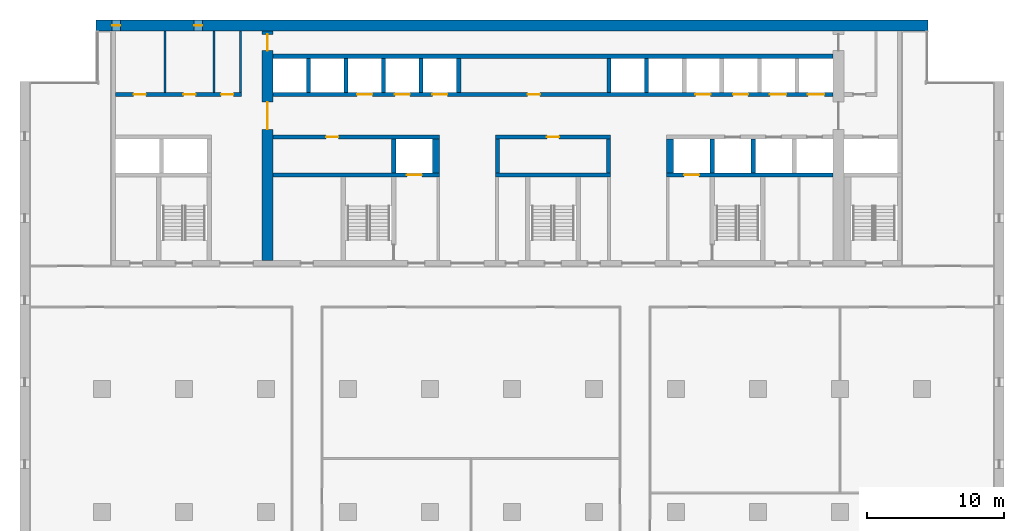
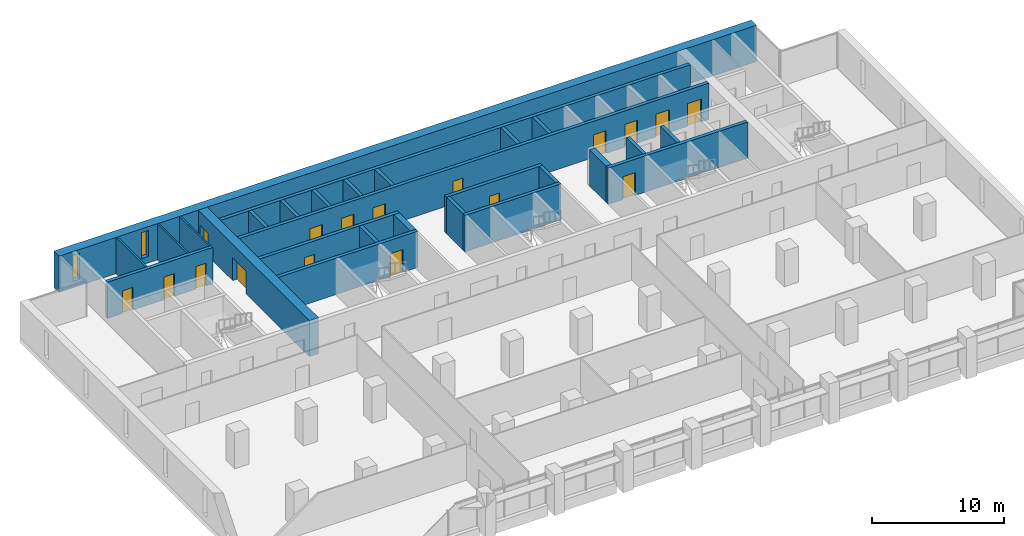
# One storey, part 10 of 15: 27 walls, 17 doors, 2 windows, 19 openings.
"""IFC4 building model written with IfcOpenShell, lengths in metres."""

from ifc_helpers import new_model, si_unit, direction, frame, frame_2d, origin, place, context, subcontext, project, spatial, rectangle, extrude, material, layer, layer_set, type_object, element, fill, save


model = new_model("IFC4")

# Units and contexts
model_context = context("Model", 3, precision=1e-05, world=origin(), true_north=direction((0.0, 1.0)))
body_context = subcontext(model_context, "Body", "Model", "MODEL_VIEW")
ifc_project = project(units=[si_unit("LENGTHUNIT", "METRE"), si_unit("AREAUNIT", "SQUARE_METRE"), si_unit("VOLUMEUNIT", "CUBIC_METRE"), si_unit("PLANEANGLEUNIT", "RADIAN"), si_unit("MASSUNIT", "GRAM", prefix="KILO")], contexts=[model_context])

# Site, building, storey
site_placement = place(None, origin())
site = spatial("IfcSite", under=ifc_project, at=site_placement, CompositionType="ELEMENT")
building_placement = place(site_placement, origin())
building = spatial("IfcBuilding", under=site, at=building_placement, Name="Calvaro Tower", CompositionType="ELEMENT")
storey_placement = place(building_placement, frame((0.0, 0.0, 143.75)))
storey = spatial("IfcBuildingStorey", under=building, at=storey_placement, Name="L36", CompositionType="ELEMENT", Elevation=143.75)

# Walls
ifc_material_1 = material(Name="Blockwork partition", Category="masonry")
ifc_layer_1 = layer(ifc_material_1, 0.14990234375)
ifc_layer_set_1 = layer_set([ifc_layer_1], Name="Blockwork partition")
wall_type_1 = type_object("IfcWallType", Name="Core partition 150 EI 60", PredefinedType="PARTITIONING", material=ifc_layer_set_1)
for number, where, z_axis, x_axis, name in (
    (1, (10.60009765625, 40.699951171875, 0.0), (0.0, 0.0, 1.0), (0.0, 1.0, 0.0), "Core partition"),
    (2, (14.199951171875, 40.699951171875, 0.0), (0.0, 0.0, 1.0), (0.0, 1.0, 0.0), "Core partition"),
):
    element("IfcWall", number, at=place(storey_placement, frame(where, z_axis=z_axis, x_axis=x_axis)), inside=storey, type_object=wall_type_1, Name=name, PredefinedType="PARTITIONING", context=body_context, shape_type="SweptSolid", body=[
        extrude(rectangle(XDim=4.5, YDim=0.14990234375, at=frame_2d((2.25, 0.0))), origin(), (0.0, 0.0, 1.0), 3.35009765625),
    ])
ifc_material_2 = material(Name="Blockwork partition", Category="masonry")
ifc_layer_2 = layer(ifc_material_2, 0.14990234375)
ifc_layer_set_2 = layer_set([ifc_layer_2], Name="Blockwork partition")
wall_type_2 = type_object("IfcWallType", Name="Core partition 150 REI 120", PredefinedType="PARTITIONING", material=ifc_layer_set_2)
wall_1_placement = place(storey_placement, frame((16.125, 40.699951171875, 0.0), z_axis=(0.0, 0.0, 1.0), x_axis=(0.0, 1.0, 0.0)))
element("IfcWall", 3, at=wall_1_placement, inside=storey, type_object=wall_type_2, Name="Core partition", PredefinedType="PARTITIONING", context=body_context, shape_type="SweptSolid", body=[
    extrude(rectangle(XDim=4.5, YDim=0.14990234375, at=frame_2d((2.25, 0.0))), origin(), (0.0, 0.0, 1.0), 3.35009765625),
])

# Wall, openings, doors
ifc_material_3 = material(Name="Blockwork partition", Category="masonry")
ifc_layer_3 = layer(ifc_material_3, 0.300048828125)
ifc_layer_set_3 = layer_set([ifc_layer_3], Name="Blockwork partition")
wall_type_3 = type_object("IfcWallType", Name="Core partition 300 REI 120", PredefinedType="PARTITIONING", material=ifc_layer_set_3)
wall_2_placement = place(storey_placement, frame((7.0, 40.550048828125, 0.0), z_axis=(0.0, 0.0, 1.0), x_axis=(1.0, 0.0, 0.0)))
wall_2 = element("IfcWall", 4, at=wall_2_placement, inside=storey, type_object=wall_type_3, Name="Core partition", PredefinedType="PARTITIONING", context=body_context, shape_type="SweptSolid", body=[
    extrude(rectangle(XDim=9.199951171875, YDim=0.300048828125, at=frame_2d((4.60009765625, 0.0))), origin(), (0.0, 0.0, 1.0), 3.35009765625),
])
opening_1_placement = place(wall_2_placement, frame((1.3125, 0.0, 0.0)))
opening_1 = element("IfcOpeningElement", 5, at=opening_1_placement, cuts=wall_2, Name="Opening RD9", PredefinedType="OPENING", context=body_context, shape_type="SweptSolid", body=[
    extrude(rectangle(XDim=0.89990234375, YDim=2.10009765625, at=frame_2d((0.449951171875, 1.050048828125))), frame((0.0, 0.159912109375, 0.0), z_axis=(0.0, -1.0, 0.0), x_axis=(1.0, 0.0, 0.0)), (0.0, 0.0, 1.0), 0.320068359375),
])
opening_2_placement = place(wall_2_placement, frame((4.949951171875, 0.0, 0.0)))
opening_2 = element("IfcOpeningElement", 6, at=opening_2_placement, cuts=wall_2, Name="Opening RD9", PredefinedType="OPENING", context=body_context, shape_type="SweptSolid", body=[
    extrude(rectangle(XDim=0.89990234375, YDim=2.10009765625, at=frame_2d((0.449951171875, 1.050048828125))), frame((0.0, 0.159912109375, 0.0), z_axis=(0.0, -1.0, 0.0), x_axis=(1.0, 0.0, 0.0)), (0.0, 0.0, 1.0), 0.320068359375),
])
opening_3_placement = place(wall_2_placement, frame((7.71240234375, 0.0, 0.0)))
opening_3 = element("IfcOpeningElement", 7, at=opening_3_placement, cuts=wall_2, Name="Opening RD9", PredefinedType="OPENING", context=body_context, shape_type="SweptSolid", body=[
    extrude(rectangle(XDim=0.89990234375, YDim=2.10009765625, at=frame_2d((0.449951171875, 1.050048828125))), frame((0.0, 0.159912109375, 0.0), z_axis=(0.0, -1.0, 0.0), x_axis=(1.0, 0.0, 0.0)), (0.0, 0.0, 1.0), 0.320068359375),
])
ifc_material_4 = material(Name="Steel door set", Category="steel")
door_type_1 = type_object("IfcDoorType", Name="Room door 900", OperationType="SINGLE_SWING_LEFT", PredefinedType="DOOR", material=ifc_material_4)
door_1_placement = place(opening_1_placement, origin())
door_1 = element("IfcDoor", 8, at=door_1_placement, inside=storey, type_object=door_type_1, Name="Room door", OperationType="SINGLE_SWING_LEFT", OverallHeight=2.10009765625, OverallWidth=0.89990234375, PredefinedType="DOOR", context=body_context, shape_type="SweptSolid", body=[
    extrude(rectangle(XDim=0.89990234375, YDim=2.10009765625, at=frame_2d((0.449951171875, 1.050048828125))), frame((0.0, 0.02490234375, 0.0), z_axis=(0.0, -1.0, 0.0), x_axis=(1.0, 0.0, 0.0)), (0.0, 0.0, 1.0), 0.050048828125),
])
fill(opening_1, door_1)
door_2_placement = place(opening_2_placement, origin())
door_2 = element("IfcDoor", 9, at=door_2_placement, inside=storey, type_object=door_type_1, Name="Room door", OperationType="SINGLE_SWING_LEFT", OverallHeight=2.10009765625, OverallWidth=0.89990234375, PredefinedType="DOOR", context=body_context, shape_type="SweptSolid", body=[
    extrude(rectangle(XDim=0.89990234375, YDim=2.10009765625, at=frame_2d((0.449951171875, 1.050048828125))), frame((0.0, 0.02490234375, 0.0), z_axis=(0.0, -1.0, 0.0), x_axis=(1.0, 0.0, 0.0)), (0.0, 0.0, 1.0), 0.050048828125),
])
fill(opening_2, door_2)
door_3_placement = place(opening_3_placement, origin())
door_3 = element("IfcDoor", 10, at=door_3_placement, inside=storey, type_object=door_type_1, Name="Room door", OperationType="SINGLE_SWING_LEFT", OverallHeight=2.10009765625, OverallWidth=0.89990234375, PredefinedType="DOOR", context=body_context, shape_type="SweptSolid", body=[
    extrude(rectangle(XDim=0.89990234375, YDim=2.10009765625, at=frame_2d((0.449951171875, 1.050048828125))), frame((0.0, 0.02490234375, 0.0), z_axis=(0.0, -1.0, 0.0), x_axis=(1.0, 0.0, 0.0)), (0.0, 0.0, 1.0), 0.050048828125),
])
fill(opening_3, door_3)

# Wall, opening, door
ifc_material_5 = material(Name="Concrete C60/75", Category="concrete")
ifc_layer_4 = layer(ifc_material_5, 0.300048828125)
ifc_layer_set_4 = layer_set([ifc_layer_4], Name="Concrete C60/75")
wall_type_4 = type_object("IfcWallType", Name="Core wall C60/75 300", PredefinedType="SHEAR", material=ifc_layer_set_4)
wall_3_placement = place(storey_placement, frame((18.5, 34.64990234375, 0.0), z_axis=(0.0, 0.0, 1.0), x_axis=(1.0, 0.0, 0.0)))
wall_3 = element("IfcWall", 11, at=wall_3_placement, inside=storey, type_object=wall_type_4, Name="Core wall, lift shaft", PredefinedType="SHEAR", context=body_context, shape_type="SweptSolid", body=[
    extrude(rectangle(XDim=12.199951171875, YDim=0.300048828125, at=frame_2d((6.10009765625, 0.0))), origin(), (0.0, 0.0, 1.0), 3.35009765625),
])
opening_4_placement = place(wall_3_placement, frame((9.800048828125, 0.0, 0.0)))
opening_4 = element("IfcOpeningElement", 12, at=opening_4_placement, cuts=wall_3, Name="Opening FF1", PredefinedType="OPENING", context=body_context, shape_type="SweptSolid", body=[
    extrude(rectangle(XDim=1.10009765625, YDim=2.10009765625, at=frame_2d((0.550048828125, 1.050048828125))), frame((0.0, 0.159912109375, 0.0), z_axis=(0.0, -1.0, 0.0), x_axis=(1.0, 0.0, 0.0)), (0.0, 0.0, 1.0), 0.320068359375),
])
ifc_material_6 = material(Name="Stainless steel", Category="steel")
door_type_2 = type_object("IfcDoorType", Name="Landing door 1100 E 60", OperationType="SLIDING_TO_LEFT", PredefinedType="DOOR", material=ifc_material_6)
door_4_placement = place(opening_4_placement, origin())
door_4 = element("IfcDoor", 13, at=door_4_placement, inside=storey, type_object=door_type_2, Name="Landing door FF1", OperationType="SLIDING_TO_LEFT", OverallHeight=2.10009765625, OverallWidth=1.10009765625, PredefinedType="DOOR", context=body_context, shape_type="SweptSolid", body=[
    extrude(rectangle(XDim=1.10009765625, YDim=2.10009765625, at=frame_2d((0.550048828125, 1.050048828125))), frame((0.0, 0.02490234375, 0.0), z_axis=(0.0, -1.0, 0.0), x_axis=(1.0, 0.0, 0.0)), (0.0, 0.0, 1.0), 0.050048828125),
])
fill(opening_4, door_4)

# Wall
wall_4_placement = place(storey_placement, frame((34.800048828125, 34.64990234375, 0.0), z_axis=(0.0, 0.0, 1.0), x_axis=(1.0, 0.0, 0.0)))
element("IfcWall", 14, at=wall_4_placement, inside=storey, type_object=wall_type_4, Name="Core wall, lift shaft", PredefinedType="SHEAR", context=body_context, shape_type="SweptSolid", body=[
    extrude(rectangle(XDim=8.39990234375, YDim=0.300048828125, at=frame_2d((4.199951171875, 0.0))), origin(), (0.0, 0.0, 1.0), 3.35009765625),
])

# Wall, opening, door
wall_5_placement = place(storey_placement, frame((47.300048828125, 34.64990234375, 0.0), z_axis=(0.0, 0.0, 1.0), x_axis=(1.0, 0.0, 0.0)))
wall_5 = element("IfcWall", 15, at=wall_5_placement, inside=storey, type_object=wall_type_4, Name="Core wall, lift shaft", PredefinedType="SHEAR", context=body_context, shape_type="SweptSolid", body=[
    extrude(rectangle(XDim=12.199951171875, YDim=0.300048828125, at=frame_2d((6.10009765625, 0.0))), origin(), (0.0, 0.0, 1.0), 3.35009765625),
])
opening_5_placement = place(wall_5_placement, frame((1.300048828125, 0.0, 0.0)))
opening_5 = element("IfcOpeningElement", 16, at=opening_5_placement, cuts=wall_5, Name="Opening FF2", PredefinedType="OPENING", context=body_context, shape_type="SweptSolid", body=[
    extrude(rectangle(XDim=1.10009765625, YDim=2.10009765625, at=frame_2d((0.550048828125, 1.050048828125))), frame((0.0, 0.159912109375, 0.0), z_axis=(0.0, -1.0, 0.0), x_axis=(1.0, 0.0, 0.0)), (0.0, 0.0, 1.0), 0.320068359375),
])
door_5_placement = place(opening_5_placement, origin())
door_5 = element("IfcDoor", 17, at=door_5_placement, inside=storey, type_object=door_type_2, Name="Landing door FF2", OperationType="SLIDING_TO_LEFT", OverallHeight=2.10009765625, OverallWidth=1.10009765625, PredefinedType="DOOR", context=body_context, shape_type="SweptSolid", body=[
    extrude(rectangle(XDim=1.10009765625, YDim=2.10009765625, at=frame_2d((0.550048828125, 1.050048828125))), frame((0.0, 0.02490234375, 0.0), z_axis=(0.0, -1.0, 0.0), x_axis=(1.0, 0.0, 0.0)), (0.0, 0.0, 1.0), 0.050048828125),
])
fill(opening_5, door_5)

wall_6_placement = place(storey_placement, frame((30.699951171875, 37.449951171875, 0.0), z_axis=(0.0, 0.0, 1.0), x_axis=(-1.0, 0.0, 0.0)))
wall_6 = element("IfcWall", 18, at=wall_6_placement, inside=storey, type_object=wall_type_4, Name="Core wall, bay", PredefinedType="SHEAR", context=body_context, shape_type="SweptSolid", body=[
    extrude(rectangle(XDim=12.199951171875, YDim=0.300048828125, at=frame_2d((6.10009765625, 0.0))), origin(), (0.0, 0.0, 1.0), 3.35009765625),
])
opening_6_placement = place(wall_6_placement, frame((7.39990234375, 0.0, 0.0)))
opening_6 = element("IfcOpeningElement", 19, at=opening_6_placement, cuts=wall_6, Name="Opening RD9E", PredefinedType="OPENING", context=body_context, shape_type="SweptSolid", body=[
    extrude(rectangle(XDim=0.89990234375, YDim=2.10009765625, at=frame_2d((0.449951171875, 1.050048828125))), frame((0.0, 0.159912109375, 0.0), z_axis=(0.0, -1.0, 0.0), x_axis=(1.0, 0.0, 0.0)), (0.0, 0.0, 1.0), 0.320068359375),
])
ifc_material_7 = material(Name="Steel door set", Category="steel")
door_type_3 = type_object("IfcDoorType", Name="Room door 900 FD60", OperationType="SINGLE_SWING_LEFT", PredefinedType="DOOR", material=ifc_material_7)
door_6_placement = place(opening_6_placement, origin())
door_6 = element("IfcDoor", 20, at=door_6_placement, inside=storey, type_object=door_type_3, Name="Room door", OperationType="SINGLE_SWING_LEFT", OverallHeight=2.10009765625, OverallWidth=0.89990234375, PredefinedType="DOOR", context=body_context, shape_type="SweptSolid", body=[
    extrude(rectangle(XDim=0.89990234375, YDim=2.10009765625, at=frame_2d((0.449951171875, 1.050048828125))), frame((0.0, 0.02490234375, 0.0), z_axis=(0.0, -1.0, 0.0), x_axis=(1.0, 0.0, 0.0)), (0.0, 0.0, 1.0), 0.050048828125),
])
fill(opening_6, door_6)

wall_7_placement = place(storey_placement, frame((43.199951171875, 37.449951171875, 0.0), z_axis=(0.0, 0.0, 1.0), x_axis=(-1.0, 0.0, 0.0)))
wall_7 = element("IfcWall", 21, at=wall_7_placement, inside=storey, type_object=wall_type_4, Name="Core wall, bay", PredefinedType="SHEAR", context=body_context, shape_type="SweptSolid", body=[
    extrude(rectangle(XDim=8.39990234375, YDim=0.300048828125, at=frame_2d((4.199951171875, 0.0))), origin(), (0.0, 0.0, 1.0), 3.35009765625),
])
opening_7_placement = place(wall_7_placement, frame((3.75, 0.0, 0.0)))
opening_7 = element("IfcOpeningElement", 22, at=opening_7_placement, cuts=wall_7, Name="Opening RD9E", PredefinedType="OPENING", context=body_context, shape_type="SweptSolid", body=[
    extrude(rectangle(XDim=0.89990234375, YDim=2.10009765625, at=frame_2d((0.449951171875, 1.050048828125))), frame((0.0, 0.159912109375, 0.0), z_axis=(0.0, -1.0, 0.0), x_axis=(1.0, 0.0, 0.0)), (0.0, 0.0, 1.0), 0.320068359375),
])
door_7_placement = place(opening_7_placement, origin())
door_7 = element("IfcDoor", 23, at=door_7_placement, inside=storey, type_object=door_type_3, Name="Room door", OperationType="SINGLE_SWING_RIGHT", OverallHeight=2.10009765625, OverallWidth=0.89990234375, PredefinedType="DOOR", context=body_context, shape_type="SweptSolid", body=[
    extrude(rectangle(XDim=0.89990234375, YDim=2.10009765625, at=frame_2d((0.449951171875, 1.050048828125))), frame((0.0, 0.02490234375, 0.0), z_axis=(0.0, -1.0, 0.0), x_axis=(1.0, 0.0, 0.0)), (0.0, 0.0, 1.0), 0.050048828125),
])
fill(opening_7, door_7)

# Walls
for number, where, z_axis, x_axis, name in (
    (24, (27.35009765625, 34.800048828125, 0.0), (0.0, 0.0, 1.0), (0.0, 1.0, 0.0), "Core wall, lift shaft"),
    (25, (34.949951171875, 34.800048828125, 0.0), (0.0, 0.0, 1.0), (0.0, 1.0, 0.0), "Core wall, lift shaft"),
    (26, (43.050048828125, 34.800048828125, 0.0), (0.0, 0.0, 1.0), (0.0, 1.0, 0.0), "Core wall, lift shaft"),
    (27, (50.64990234375, 34.800048828125, 0.0), (0.0, 0.0, 1.0), (0.0, 1.0, 0.0), "Core wall, lift shaft"),
):
    element("IfcWall", number, at=place(storey_placement, frame(where, z_axis=z_axis, x_axis=x_axis)), inside=storey, type_object=wall_type_4, Name=name, PredefinedType="SHEAR", context=body_context, shape_type="SweptSolid", body=[
        extrude(rectangle(XDim=2.5, YDim=0.300048828125, at=frame_2d((1.25, 0.0))), origin(), (0.0, 0.0, 1.0), 3.35009765625),
    ])

# Wall, openings, doors
wall_8_placement = place(storey_placement, frame((18.5, 40.550048828125, 0.0), z_axis=(0.0, 0.0, 1.0), x_axis=(1.0, 0.0, 0.0)))
wall_8 = element("IfcWall", 28, at=wall_8_placement, inside=storey, type_object=wall_type_4, Name="Core wall, bay", PredefinedType="SHEAR", context=body_context, shape_type="SweptSolid", body=[
    extrude(rectangle(XDim=41.0, YDim=0.300048828125, at=frame_2d((20.5, 0.0))), origin(), (0.0, 0.0, 1.0), 3.35009765625),
])
opening_8_placement = place(wall_8_placement, frame((18.64990234375, 0.0, 0.0)))
opening_8 = element("IfcOpeningElement", 29, at=opening_8_placement, cuts=wall_8, Name="Opening RD9E", PredefinedType="OPENING", context=body_context, shape_type="SweptSolid", body=[
    extrude(rectangle(XDim=0.89990234375, YDim=2.10009765625, at=frame_2d((0.449951171875, 1.050048828125))), frame((0.0, 0.159912109375, 0.0), z_axis=(0.0, -1.0, 0.0), x_axis=(1.0, 0.0, 0.0)), (0.0, 0.0, 1.0), 0.320068359375),
])
opening_9_placement = place(wall_8_placement, frame((6.175048828125, 0.0, 0.0)))
opening_9 = element("IfcOpeningElement", 30, at=opening_9_placement, cuts=wall_8, Name="Opening MR4", PredefinedType="OPENING", context=body_context, shape_type="SweptSolid", body=[
    extrude(rectangle(XDim=1.10009765625, YDim=2.10009765625, at=frame_2d((0.550048828125, 1.050048828125))), frame((0.0, 0.159912109375, 0.0), z_axis=(0.0, -1.0, 0.0), x_axis=(1.0, 0.0, 0.0)), (0.0, 0.0, 1.0), 0.320068359375),
])
opening_10_placement = place(wall_8_placement, frame((8.925048828125, 0.0, 0.0)))
opening_10 = element("IfcOpeningElement", 31, at=opening_10_placement, cuts=wall_8, Name="Opening MR5", PredefinedType="OPENING", context=body_context, shape_type="SweptSolid", body=[
    extrude(rectangle(XDim=1.10009765625, YDim=2.10009765625, at=frame_2d((0.550048828125, 1.050048828125))), frame((0.0, 0.159912109375, 0.0), z_axis=(0.0, -1.0, 0.0), x_axis=(1.0, 0.0, 0.0)), (0.0, 0.0, 1.0), 0.320068359375),
])
opening_11_placement = place(wall_8_placement, frame((11.675048828125, 0.0, 0.0)))
opening_11 = element("IfcOpeningElement", 32, at=opening_11_placement, cuts=wall_8, Name="Opening MR6", PredefinedType="OPENING", context=body_context, shape_type="SweptSolid", body=[
    extrude(rectangle(XDim=1.10009765625, YDim=2.10009765625, at=frame_2d((0.550048828125, 1.050048828125))), frame((0.0, 0.159912109375, 0.0), z_axis=(0.0, -1.0, 0.0), x_axis=(1.0, 0.0, 0.0)), (0.0, 0.0, 1.0), 0.320068359375),
])
opening_12_placement = place(wall_8_placement, frame((30.925048828125, 0.0, 0.0)))
opening_12 = element("IfcOpeningElement", 33, at=opening_12_placement, cuts=wall_8, Name="Opening MR7", PredefinedType="OPENING", context=body_context, shape_type="SweptSolid", body=[
    extrude(rectangle(XDim=1.10009765625, YDim=2.10009765625, at=frame_2d((0.550048828125, 1.050048828125))), frame((0.0, 0.159912109375, 0.0), z_axis=(0.0, -1.0, 0.0), x_axis=(1.0, 0.0, 0.0)), (0.0, 0.0, 1.0), 0.320068359375),
])
opening_13_placement = place(wall_8_placement, frame((33.675048828125, 0.0, 0.0)))
opening_13 = element("IfcOpeningElement", 34, at=opening_13_placement, cuts=wall_8, Name="Opening MR8", PredefinedType="OPENING", context=body_context, shape_type="SweptSolid", body=[
    extrude(rectangle(XDim=1.10009765625, YDim=2.10009765625, at=frame_2d((0.550048828125, 1.050048828125))), frame((0.0, 0.159912109375, 0.0), z_axis=(0.0, -1.0, 0.0), x_axis=(1.0, 0.0, 0.0)), (0.0, 0.0, 1.0), 0.320068359375),
])
opening_14_placement = place(wall_8_placement, frame((36.375, 0.0, 0.0)))
opening_14 = element("IfcOpeningElement", 35, at=opening_14_placement, cuts=wall_8, Name="Opening SV1", PredefinedType="OPENING", context=body_context, shape_type="SweptSolid", body=[
    extrude(rectangle(XDim=1.199951171875, YDim=2.10009765625, at=frame_2d((0.60009765625, 1.050048828125))), frame((0.0, 0.159912109375, 0.0), z_axis=(0.0, -1.0, 0.0), x_axis=(1.0, 0.0, 0.0)), (0.0, 0.0, 1.0), 0.320068359375),
])
opening_15_placement = place(wall_8_placement, frame((39.14990234375, 0.0, 0.0)))
opening_15 = element("IfcOpeningElement", 36, at=opening_15_placement, cuts=wall_8, Name="Opening SV2", PredefinedType="OPENING", context=body_context, shape_type="SweptSolid", body=[
    extrude(rectangle(XDim=1.199951171875, YDim=2.10009765625, at=frame_2d((0.60009765625, 1.050048828125))), frame((0.0, 0.159912109375, 0.0), z_axis=(0.0, -1.0, 0.0), x_axis=(1.0, 0.0, 0.0)), (0.0, 0.0, 1.0), 0.320068359375),
])
door_8_placement = place(opening_9_placement, origin())
door_8 = element("IfcDoor", 37, at=door_8_placement, inside=storey, type_object=door_type_2, Name="Landing door MR4", OperationType="SLIDING_TO_LEFT", OverallHeight=2.10009765625, OverallWidth=1.10009765625, PredefinedType="DOOR", context=body_context, shape_type="SweptSolid", body=[
    extrude(rectangle(XDim=1.10009765625, YDim=2.10009765625, at=frame_2d((0.550048828125, 1.050048828125))), frame((0.0, 0.02490234375, 0.0), z_axis=(0.0, -1.0, 0.0), x_axis=(1.0, 0.0, 0.0)), (0.0, 0.0, 1.0), 0.050048828125),
])
fill(opening_9, door_8)
door_9_placement = place(opening_10_placement, origin())
door_9 = element("IfcDoor", 38, at=door_9_placement, inside=storey, type_object=door_type_2, Name="Landing door MR5", OperationType="SLIDING_TO_LEFT", OverallHeight=2.10009765625, OverallWidth=1.10009765625, PredefinedType="DOOR", context=body_context, shape_type="SweptSolid", body=[
    extrude(rectangle(XDim=1.10009765625, YDim=2.10009765625, at=frame_2d((0.550048828125, 1.050048828125))), frame((0.0, 0.02490234375, 0.0), z_axis=(0.0, -1.0, 0.0), x_axis=(1.0, 0.0, 0.0)), (0.0, 0.0, 1.0), 0.050048828125),
])
fill(opening_10, door_9)
door_10_placement = place(opening_11_placement, origin())
door_10 = element("IfcDoor", 39, at=door_10_placement, inside=storey, type_object=door_type_2, Name="Landing door MR6", OperationType="SLIDING_TO_LEFT", OverallHeight=2.10009765625, OverallWidth=1.10009765625, PredefinedType="DOOR", context=body_context, shape_type="SweptSolid", body=[
    extrude(rectangle(XDim=1.10009765625, YDim=2.10009765625, at=frame_2d((0.550048828125, 1.050048828125))), frame((0.0, 0.02490234375, 0.0), z_axis=(0.0, -1.0, 0.0), x_axis=(1.0, 0.0, 0.0)), (0.0, 0.0, 1.0), 0.050048828125),
])
fill(opening_11, door_10)
door_11_placement = place(opening_12_placement, origin())
door_11 = element("IfcDoor", 40, at=door_11_placement, inside=storey, type_object=door_type_2, Name="Landing door MR7", OperationType="SLIDING_TO_LEFT", OverallHeight=2.10009765625, OverallWidth=1.10009765625, PredefinedType="DOOR", context=body_context, shape_type="SweptSolid", body=[
    extrude(rectangle(XDim=1.10009765625, YDim=2.10009765625, at=frame_2d((0.550048828125, 1.050048828125))), frame((0.0, 0.02490234375, 0.0), z_axis=(0.0, -1.0, 0.0), x_axis=(1.0, 0.0, 0.0)), (0.0, 0.0, 1.0), 0.050048828125),
])
fill(opening_12, door_11)
door_12_placement = place(opening_13_placement, origin())
door_12 = element("IfcDoor", 41, at=door_12_placement, inside=storey, type_object=door_type_2, Name="Landing door MR8", OperationType="SLIDING_TO_LEFT", OverallHeight=2.10009765625, OverallWidth=1.10009765625, PredefinedType="DOOR", context=body_context, shape_type="SweptSolid", body=[
    extrude(rectangle(XDim=1.10009765625, YDim=2.10009765625, at=frame_2d((0.550048828125, 1.050048828125))), frame((0.0, 0.02490234375, 0.0), z_axis=(0.0, -1.0, 0.0), x_axis=(1.0, 0.0, 0.0)), (0.0, 0.0, 1.0), 0.050048828125),
])
fill(opening_13, door_12)
ifc_material_8 = material(Name="Stainless steel", Category="steel")
door_type_4 = type_object("IfcDoorType", Name="Landing door 1200 E 60", OperationType="SLIDING_TO_LEFT", PredefinedType="DOOR", material=ifc_material_8)
door_13_placement = place(opening_14_placement, origin())
door_13 = element("IfcDoor", 42, at=door_13_placement, inside=storey, type_object=door_type_4, Name="Landing door SV1", OperationType="SLIDING_TO_LEFT", OverallHeight=2.10009765625, OverallWidth=1.199951171875, PredefinedType="DOOR", context=body_context, shape_type="SweptSolid", body=[
    extrude(rectangle(XDim=1.199951171875, YDim=2.10009765625, at=frame_2d((0.60009765625, 1.050048828125))), frame((0.0, 0.02490234375, 0.0), z_axis=(0.0, -1.0, 0.0), x_axis=(1.0, 0.0, 0.0)), (0.0, 0.0, 1.0), 0.050048828125),
])
fill(opening_14, door_13)
door_14_placement = place(opening_15_placement, origin())
door_14 = element("IfcDoor", 43, at=door_14_placement, inside=storey, type_object=door_type_4, Name="Landing door SV2", OperationType="SLIDING_TO_LEFT", OverallHeight=2.10009765625, OverallWidth=1.199951171875, PredefinedType="DOOR", context=body_context, shape_type="SweptSolid", body=[
    extrude(rectangle(XDim=1.199951171875, YDim=2.10009765625, at=frame_2d((0.60009765625, 1.050048828125))), frame((0.0, 0.02490234375, 0.0), z_axis=(0.0, -1.0, 0.0), x_axis=(1.0, 0.0, 0.0)), (0.0, 0.0, 1.0), 0.050048828125),
])
fill(opening_15, door_14)
door_15_placement = place(opening_8_placement, origin())
door_15 = element("IfcDoor", 44, at=door_15_placement, inside=storey, type_object=door_type_3, Name="Room door", OperationType="SINGLE_SWING_LEFT", OverallHeight=2.10009765625, OverallWidth=0.89990234375, PredefinedType="DOOR", context=body_context, shape_type="SweptSolid", body=[
    extrude(rectangle(XDim=0.89990234375, YDim=2.10009765625, at=frame_2d((0.449951171875, 1.050048828125))), frame((0.0, 0.02490234375, 0.0), z_axis=(0.0, -1.0, 0.0), x_axis=(1.0, 0.0, 0.0)), (0.0, 0.0, 1.0), 0.050048828125),
])
fill(opening_8, door_15)

# Walls
wall_9_placement = place(storey_placement, frame((18.5, 43.35009765625, 0.0), z_axis=(0.0, 0.0, 1.0), x_axis=(1.0, 0.0, 0.0)))
element("IfcWall", 45, at=wall_9_placement, inside=storey, type_object=wall_type_4, Name="Core wall, lift shaft", PredefinedType="SHEAR", context=body_context, shape_type="SweptSolid", body=[
    extrude(rectangle(XDim=41.0, YDim=0.300048828125, at=frame_2d((20.5, 0.0))), origin(), (0.0, 0.0, 1.0), 3.35009765625),
])
for number, where, z_axis, x_axis, name in (
    (46, (53.64990234375, 34.800048828125, 0.0), (0.0, 0.0, 1.0), (0.0, 1.0, 0.0), "Core wall, lift shaft"),
    (47, (21.10009765625, 40.699951171875, 0.0), (0.0, 0.0, 1.0), (0.0, 1.0, 0.0), "Core wall, lift shaft"),
    (48, (23.85009765625, 40.699951171875, 0.0), (0.0, 0.0, 1.0), (0.0, 1.0, 0.0), "Core wall, lift shaft"),
    (49, (26.60009765625, 40.699951171875, 0.0), (0.0, 0.0, 1.0), (0.0, 1.0, 0.0), "Core wall, lift shaft"),
    (50, (29.35009765625, 40.699951171875, 0.0), (0.0, 0.0, 1.0), (0.0, 1.0, 0.0), "Core wall, lift shaft"),
    (51, (32.10009765625, 40.699951171875, 0.0), (0.0, 0.0, 1.0), (0.0, 1.0, 0.0), "Core wall, lift shaft"),
    (52, (43.10009765625, 40.699951171875, 0.0), (0.0, 0.0, 1.0), (0.0, 1.0, 0.0), "Core wall, lift shaft"),
    (53, (45.85009765625, 40.699951171875, 0.0), (0.0, 0.0, 1.0), (0.0, 1.0, 0.0), "Core wall, lift shaft"),
):
    element("IfcWall", number, at=place(storey_placement, frame(where, z_axis=z_axis, x_axis=x_axis)), inside=storey, type_object=wall_type_4, Name=name, PredefinedType="SHEAR", context=body_context, shape_type="SweptSolid", body=[
        extrude(rectangle(XDim=2.5, YDim=0.300048828125, at=frame_2d((1.25, 0.0))), origin(), (0.0, 0.0, 1.0), 3.35009765625),
    ])
ifc_material_9 = material(Name="Concrete C60/75", Category="concrete")
ifc_layer_5 = layer(ifc_material_9, 0.5)
ifc_layer_set_5 = layer_set([ifc_layer_5], Name="Concrete C60/75")
wall_type_5 = type_object("IfcWallType", Name="Core wall C60/75 500", PredefinedType="SHEAR", material=ifc_layer_set_5)
for number, where, z_axis, x_axis, name in (
    (54, (30.449951171875, 34.800048828125, 0.0), (0.0, 0.0, 1.0), (0.0, 1.0, 0.0), "Core wall, lift shaft"),
    (55, (47.550048828125, 34.800048828125, 0.0), (0.0, 0.0, 1.0), (0.0, 1.0, 0.0), "Core wall, lift shaft"),
):
    element("IfcWall", number, at=place(storey_placement, frame(where, z_axis=z_axis, x_axis=x_axis)), inside=storey, type_object=wall_type_5, Name=name, PredefinedType="SHEAR", context=body_context, shape_type="SweptSolid", body=[
        extrude(rectangle(XDim=2.5, YDim=0.5, at=frame_2d((1.25, 0.0))), origin(), (0.0, 0.0, 1.0), 3.35009765625),
    ])

# Wall, openings, doors
ifc_material_10 = material(Name="Concrete C60/75", Category="concrete")
ifc_layer_6 = layer(ifc_material_10, 0.800048828125)
ifc_layer_set_6 = layer_set([ifc_layer_6], Name="Concrete C60/75")
wall_type_6 = type_object("IfcWallType", Name="Core wall C60/75 800", PredefinedType="SHEAR", material=ifc_layer_set_6)
wall_10_placement = place(storey_placement, frame((18.10009765625, 28.39990234375, 0.0), z_axis=(0.0, 0.0, 1.0), x_axis=(0.0, 1.0, 0.0)))
wall_10 = element("IfcWall", 56, at=wall_10_placement, inside=storey, type_object=wall_type_6, Name="Core wall, cross shear wall", PredefinedType="SHEAR", context=body_context, shape_type="SweptSolid", body=[
    extrude(rectangle(XDim=16.800048828125, YDim=0.800048828125, at=frame_2d((8.39990234375, 0.0))), origin(), (0.0, 0.0, 1.0), 3.35009765625),
])
opening_16_placement = place(wall_10_placement, frame((9.60009765625, 0.0, 0.0)))
opening_16 = element("IfcOpeningElement", 57, at=opening_16_placement, cuts=wall_10, Name="Opening DD20D", PredefinedType="OPENING", context=body_context, shape_type="SweptSolid", body=[
    extrude(rectangle(XDim=2.0, YDim=2.10009765625, at=frame_2d((1.0, 1.050048828125))), frame((0.0, 0.409912109375, 0.0), z_axis=(0.0, -1.0, 0.0), x_axis=(1.0, 0.0, 0.0)), (0.0, 0.0, 1.0), 0.820068359375),
])
opening_17_placement = place(wall_10_placement, frame((15.35009765625, 0.0, 0.0)))
opening_17 = element("IfcOpeningElement", 58, at=opening_17_placement, cuts=wall_10, Name="Opening FD12C", PredefinedType="OPENING", context=body_context, shape_type="SweptSolid", body=[
    extrude(rectangle(XDim=1.199951171875, YDim=2.10009765625, at=frame_2d((0.60009765625, 1.050048828125))), frame((0.0, 0.409912109375, 0.0), z_axis=(0.0, -1.0, 0.0), x_axis=(1.0, 0.0, 0.0)), (0.0, 0.0, 1.0), 0.820068359375),
])
ifc_material_11 = material(Name="Steel door set", Category="steel")
door_type_5 = type_object("IfcDoorType", Name="Fire door 1200 FD30", OperationType="SINGLE_SWING_LEFT", PredefinedType="DOOR", material=ifc_material_11)
door_16_placement = place(opening_17_placement, origin())
door_16 = element("IfcDoor", 59, at=door_16_placement, inside=storey, type_object=door_type_5, Name="Fire door", OperationType="SINGLE_SWING_LEFT", OverallHeight=2.10009765625, OverallWidth=1.199951171875, PredefinedType="DOOR", context=body_context, shape_type="SweptSolid", body=[
    extrude(rectangle(XDim=1.199951171875, YDim=2.10009765625, at=frame_2d((0.60009765625, 1.050048828125))), frame((0.0, 0.02490234375, 0.0), z_axis=(0.0, -1.0, 0.0), x_axis=(1.0, 0.0, 0.0)), (0.0, 0.0, 1.0), 0.050048828125),
])
fill(opening_17, door_16)
ifc_material_12 = material(Name="Steel door set", Category="steel")
door_type_6 = type_object("IfcDoorType", Name="Lobby double door 2000 FD30S", OperationType="DOUBLE_DOOR_SINGLE_SWING", PredefinedType="DOOR", material=ifc_material_12)
door_17_placement = place(opening_16_placement, origin())
door_17 = element("IfcDoor", 60, at=door_17_placement, inside=storey, type_object=door_type_6, Name="Lobby double door", OperationType="DOUBLE_DOOR_SINGLE_SWING", OverallHeight=2.10009765625, OverallWidth=2.0, PredefinedType="DOOR", context=body_context, shape_type="SweptSolid", body=[
    extrude(rectangle(XDim=2.0, YDim=2.10009765625, at=frame_2d((1.0, 1.050048828125))), frame((0.0, 0.02490234375, 0.0), z_axis=(0.0, -1.0, 0.0), x_axis=(1.0, 0.0, 0.0)), (0.0, 0.0, 1.0), 0.050048828125),
])
fill(opening_16, door_17)

# Wall, openings, windows
ifc_material_13 = material(Name="Concrete C60/75", Category="concrete")
ifc_layer_7 = layer(ifc_material_13, 0.800048828125)
ifc_layer_set_7 = layer_set([ifc_layer_7], Name="Concrete C60/75")
wall_type_7 = type_object("IfcWallType", Name="Rear core wall 800 C60/75", PredefinedType="SHEAR", material=ifc_layer_set_7)
wall_11_placement = place(storey_placement, frame((5.550048828125, 45.60009765625, 0.0), z_axis=(0.0, 0.0, 1.0), x_axis=(1.0, 0.0, 0.0)))
wall_11 = element("IfcWall", 61, at=wall_11_placement, inside=storey, type_object=wall_type_7, Name="North core wall", PredefinedType="SHEAR", context=body_context, shape_type="SweptSolid", body=[
    extrude(rectangle(XDim=60.89990234375, YDim=0.800048828125, at=frame_2d((30.449951171875, 0.0))), origin(), (0.0, 0.0, 1.0), 3.35009765625),
])
opening_18_placement = place(wall_11_placement, frame((1.199951171875, 0.0, 0.60009765625)))
opening_18 = element("IfcOpeningElement", 62, at=opening_18_placement, cuts=wall_11, Name="Opening WN01", PredefinedType="OPENING", context=body_context, shape_type="SweptSolid", body=[
    extrude(rectangle(XDim=0.60009765625, YDim=2.39990234375, at=frame_2d((0.300048828125, 1.199951171875))), frame((0.0, 0.409912109375, 0.0), z_axis=(0.0, -1.0, 0.0), x_axis=(1.0, 0.0, 0.0)), (0.0, 0.0, 1.0), 0.820068359375),
])
opening_19_placement = place(wall_11_placement, frame((7.199951171875, 0.0, 0.60009765625)))
opening_19 = element("IfcOpeningElement", 63, at=opening_19_placement, cuts=wall_11, Name="Opening WN02", PredefinedType="OPENING", context=body_context, shape_type="SweptSolid", body=[
    extrude(rectangle(XDim=0.60009765625, YDim=2.39990234375, at=frame_2d((0.300048828125, 1.199951171875))), frame((0.0, 0.409912109375, 0.0), z_axis=(0.0, -1.0, 0.0), x_axis=(1.0, 0.0, 0.0)), (0.0, 0.0, 1.0), 0.820068359375),
])
ifc_material_14 = material(Name="Glass", Category="glass")
window_type = type_object("IfcWindowType", Name="Slit window 600 x 2400", PartitioningType="SINGLE_PANEL", PredefinedType="WINDOW", material=ifc_material_14)
window_1_placement = place(opening_18_placement, origin())
window_1 = element("IfcWindow", 64, at=window_1_placement, inside=storey, type_object=window_type, Name="Window WN01", OverallHeight=2.39990234375, OverallWidth=0.60009765625, PartitioningType="SINGLE_PANEL", PredefinedType="WINDOW", context=body_context, shape_type="SweptSolid", body=[
    extrude(rectangle(XDim=0.60009765625, YDim=2.39990234375, at=frame_2d((0.300048828125, 1.199951171875))), frame((0.0, 0.030029296875, 0.0), z_axis=(0.0, -1.0, 0.0), x_axis=(1.0, 0.0, 0.0)), (0.0, 0.0, 1.0), 0.06005859375),
])
fill(opening_18, window_1)
window_2_placement = place(opening_19_placement, origin())
window_2 = element("IfcWindow", 65, at=window_2_placement, inside=storey, type_object=window_type, Name="Window WN02", OverallHeight=2.39990234375, OverallWidth=0.60009765625, PartitioningType="SINGLE_PANEL", PredefinedType="WINDOW", context=body_context, shape_type="SweptSolid", body=[
    extrude(rectangle(XDim=0.60009765625, YDim=2.39990234375, at=frame_2d((0.300048828125, 1.199951171875))), frame((0.0, 0.030029296875, 0.0), z_axis=(0.0, -1.0, 0.0), x_axis=(1.0, 0.0, 0.0)), (0.0, 0.0, 1.0), 0.06005859375),
])
fill(opening_19, window_2)

save(model, "model.ifc")
